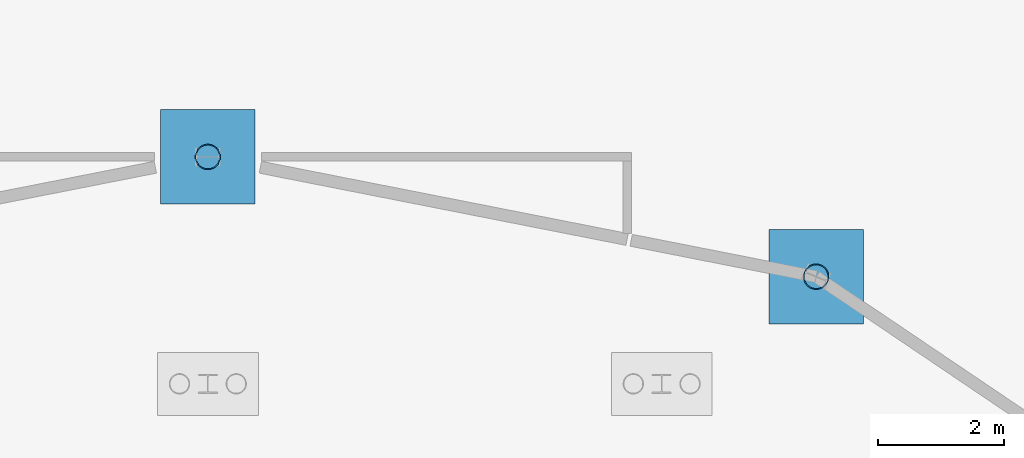
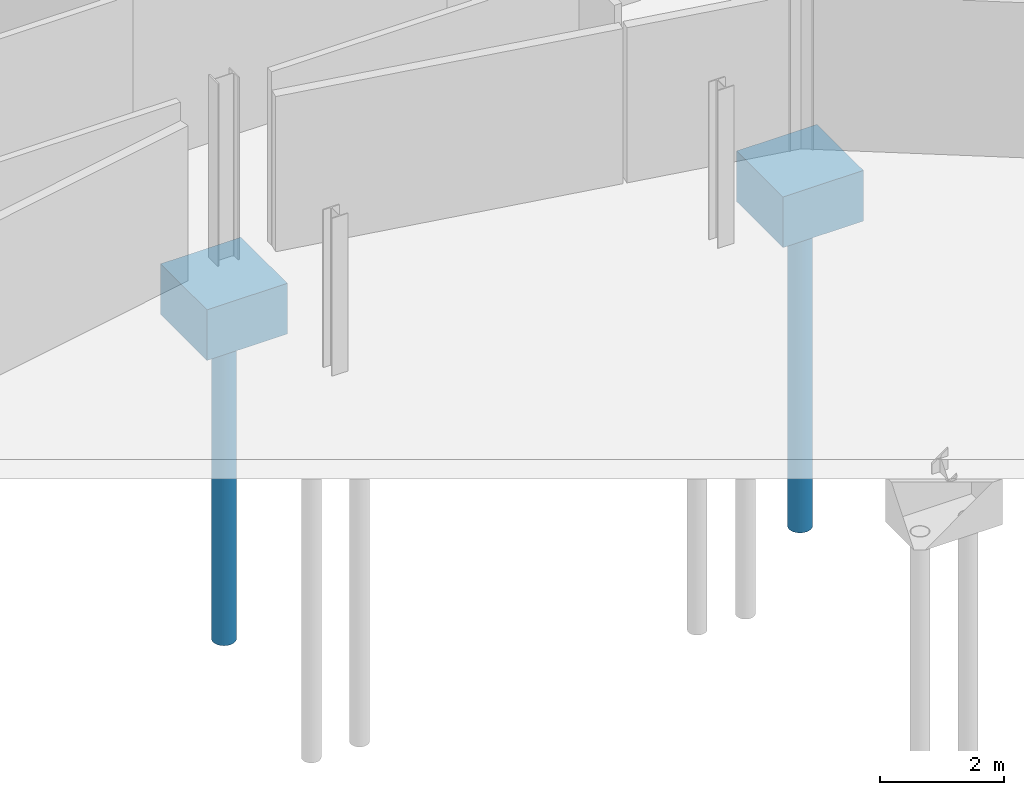
# One storey, part 11 of 148: 2 footings, 2 piles.
"""IFC4 building model written with IfcOpenShell, lengths in metres."""

from ifc_helpers import new_model, si_unit, direction, frame, origin, origin_2d, place, context, subcontext, project, spatial, rectangle, hollow_circle, extrude, material, layer, layer_set, material_profile, profile_set, type_object, element, save


model = new_model("IFC4")

# Units and contexts
model_context = context("Model", 3, precision=1e-05, world=origin(), true_north=direction((0.0, 1.0)))
body_context = subcontext(model_context, "Body", "Model", "MODEL_VIEW")
ifc_project = project(units=[si_unit("LENGTHUNIT", "METRE"), si_unit("AREAUNIT", "SQUARE_METRE"), si_unit("VOLUMEUNIT", "CUBIC_METRE"), si_unit("PLANEANGLEUNIT", "RADIAN"), si_unit("MASSUNIT", "GRAM", prefix="KILO")], contexts=[model_context])

# Site, building, storey
site_placement = place(None, origin())
site = spatial("IfcSite", under=ifc_project, at=site_placement, CompositionType="ELEMENT")
building_placement = place(site_placement, origin())
building = spatial("IfcBuilding", under=site, at=building_placement, Name="Kupolbacken Congress Centre", CompositionType="ELEMENT")
storey_placement = place(building_placement, origin())
storey = spatial("IfcBuildingStorey", under=building, at=storey_placement, Name="L00", CompositionType="ELEMENT", Elevation=0.0)

# Footings
ifc_material_1 = material(Name="Concrete C30/37", Category="concrete")
ifc_layer = layer(ifc_material_1, 1.0)
ifc_layer_set = layer_set([ifc_layer], Name="Concrete C30/37")
footing_type = type_object("IfcFootingType", Name="PC8 pile cap 1.50 x 1.50 x 1.00 m", PredefinedType="PILE_CAP", material=ifc_layer_set)
for number, where, z_axis, x_axis, name in (
    (1, (52.85009765625, 109.699951171875, -1.300048828125), (0.0, 0.0, 1.0), (1.0, 0.0, 0.0), "S/fnd/C-D04/cap"),
    (2, (43.199951171875, 111.60009765625, -1.300048828125), (0.0, 0.0, 1.0), (1.0, 0.0, 0.0), "S/fnd/C-D05/cap"),
):
    element("IfcFooting", number, at=place(storey_placement, frame(where, z_axis=z_axis, x_axis=x_axis)), inside=storey, type_object=footing_type, Name=name, PredefinedType="PILE_CAP", context=body_context, shape_type="SweptSolid", body=[
        extrude(rectangle(XDim=1.5, YDim=1.5, at=origin_2d()), origin(), (0.0, 0.0, 1.0), 1.0),
    ])

# Piles
ifc_material_2 = material(Name="Steel S355", Category="steel")
ifc_material_profile = material_profile(ifc_material_2, hollow_circle(Radius=0.203125, WallThickness=0.01611328125, at=origin_2d()), Name="CHS 406.4 x 16")
ifc_profile_set = profile_set([ifc_material_profile], Name="Steel S355")
pile_type = type_object("IfcPileType", Name="PL2 steel tube pile CHS 406.4 x 16", PredefinedType="BORED", material=ifc_profile_set)
for number, where, z_axis, x_axis, name in (
    (3, (52.85009765625, 109.699951171875, -1.300048828125), (0.0, 0.0, -1.0), (1.0, 0.0, 0.0), "S/fnd/C-D04/pile1"),
    (4, (43.199951171875, 111.60009765625, -1.300048828125), (0.0, 0.0, -1.0), (1.0, 0.0, 0.0), "S/fnd/C-D05/pile1"),
):
    element("IfcPile", number, at=place(storey_placement, frame(where, z_axis=z_axis, x_axis=x_axis)), inside=storey, type_object=pile_type, Name=name, PredefinedType="BORED", context=body_context, shape_type="SweptSolid", body=[
        extrude(hollow_circle(Radius=0.203125, WallThickness=0.01611328125, at=origin_2d()), origin(), (0.0, 0.0, 1.0), 6.199951171875),
    ])

save(model, "model.ifc")
